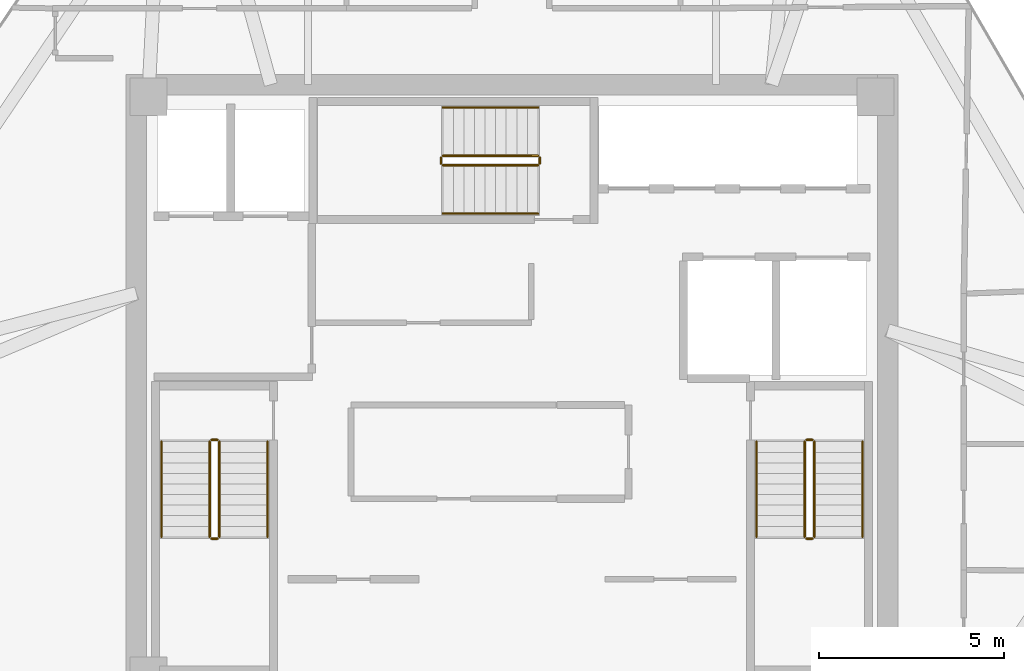
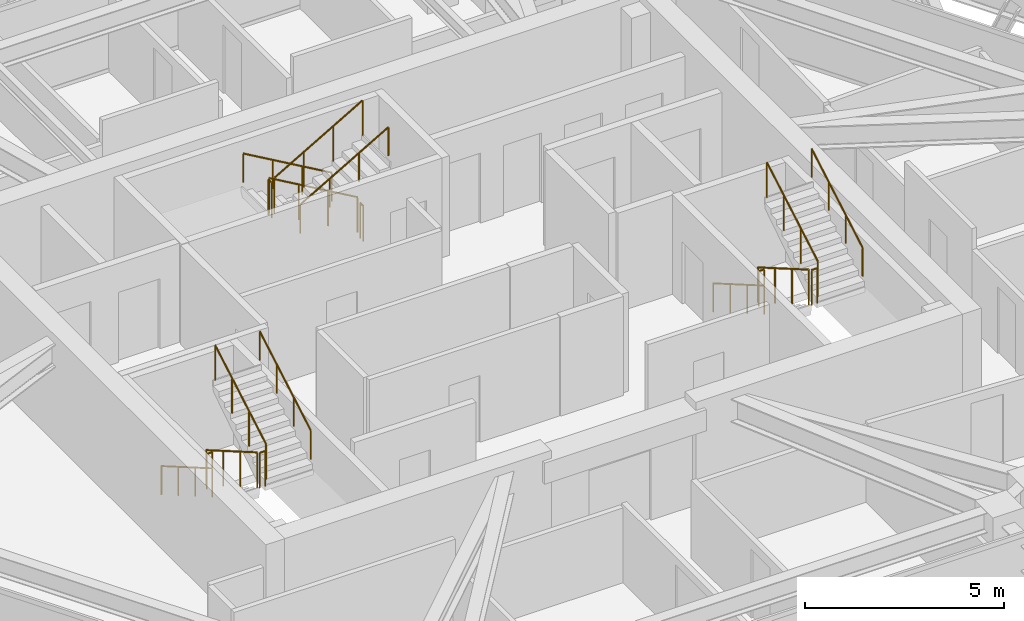
# One storey, part 11 of 11: 18 railings.
"""IFC4 building model written with IfcOpenShell, lengths in metres."""

from ifc_helpers import new_model, si_unit, direction, frame, origin, origin_2d, place, context, subcontext, project, spatial, circle, extrude, material, type_object, element, save


model = new_model("IFC4")

# Units and contexts
model_context = context("Model", 3, precision=1e-05, world=origin(), true_north=direction((0.0, 1.0)))
body_context = subcontext(model_context, "Body", "Model", "MODEL_VIEW")
ifc_project = project(units=[si_unit("LENGTHUNIT", "METRE"), si_unit("AREAUNIT", "SQUARE_METRE"), si_unit("VOLUMEUNIT", "CUBIC_METRE"), si_unit("PLANEANGLEUNIT", "RADIAN"), si_unit("MASSUNIT", "GRAM", prefix="KILO")], contexts=[model_context])

# Site, building, storey
site_placement = place(None, origin())
site = spatial("IfcSite", under=ifc_project, at=site_placement, CompositionType="ELEMENT")
building_placement = place(site_placement, origin())
building = spatial("IfcBuilding", under=site, at=building_placement, Name="Durnholm Broadcast Tower", CompositionType="ELEMENT")
storey_placement = place(building_placement, frame((0.0, 0.0, 238.10009765625)))
storey = spatial("IfcBuildingStorey", under=building, at=storey_placement, Name="L66", CompositionType="ELEMENT", Elevation=238.10009765625)

# Railings
ifc_material_1 = material(Name="Painted Tubular Steel Stair Guardrail", Category="steel")
railing_type_1 = type_object("IfcRailingType", Name="RAIL-ST-GRD", PredefinedType="GUARDRAIL", material=ifc_material_1)
railing_1_placement = place(storey_placement, frame((-8.14990234375, -1.5, 0.164794921875)))
element("IfcRailing", 1, at=railing_1_placement, inside=storey, type_object=railing_type_1, Name="L66 ST-1 stair guard 1", PredefinedType="GUARDRAIL", context=body_context, shape_type="SweptSolid", body=[
    extrude(circle(Radius=0.02392578125, at=origin_2d()), frame((0.0, 0.0, 1.076171875), z_axis=(0.0, -0.865405606168, 0.501071987656), x_axis=(1.0, 0.0, 0.0)), (0.0, 0.0, 1.0), 2.9638671875),
    extrude(circle(Radius=0.02099609375, at=origin_2d()), origin(), (0.0, 0.0, 1.0), 1.052001953125),
    extrude(circle(Radius=0.02099609375, at=origin_2d()), frame((0.0, -0.85498046875, 0.4951171875)), (0.0, 0.0, 1.0), 1.052001953125),
    extrude(circle(Radius=0.02099609375, at=origin_2d()), frame((0.0, -1.7099609375, 0.989990234375)), (0.0, 0.0, 1.0), 1.052001953125),
    extrude(circle(Radius=0.02099609375, at=origin_2d()), frame((0.0, -2.56494140625, 1.485107421875)), (0.0, 0.0, 1.0), 1.052001953125),
])
railing_2_placement = place(storey_placement, frame((-8.10009765625, -4.114990234375, 1.64990234375)))
element("IfcRailing", 2, at=railing_2_placement, inside=storey, type_object=railing_type_1, Name="L66 ST-1 stair guard 2", PredefinedType="GUARDRAIL", context=body_context, shape_type="SweptSolid", body=[
    extrude(circle(Radius=0.02392578125, at=origin_2d()), frame((0.0, 0.0, 1.076171875), z_axis=(1.0, 0.0, 0.0), x_axis=(0.0, 1.0, 0.0)), (0.0, 0.0, 1.0), 0.16015625),
    extrude(circle(Radius=0.02099609375, at=origin_2d()), origin(), (0.0, 0.0, 1.0), 1.052001953125),
    extrude(circle(Radius=0.02099609375, at=origin_2d()), frame((0.16015625, 0.0, 0.0)), (0.0, 0.0, 1.0), 1.052001953125),
])
railing_3_placement = place(storey_placement, frame((-7.889892578125, -4.06494140625, 1.81494140625)))
element("IfcRailing", 3, at=railing_3_placement, inside=storey, type_object=railing_type_1, Name="L66 ST-1 stair guard 3", PredefinedType="GUARDRAIL", context=body_context, shape_type="SweptSolid", body=[
    extrude(circle(Radius=0.02392578125, at=origin_2d()), frame((0.0, 0.0, 1.076171875), z_axis=(0.0, 0.865441324677, 0.50101029285), x_axis=(-1.0, 0.0, 0.0)), (0.0, 0.0, 1.0), 2.963623046875),
    extrude(circle(Radius=0.02099609375, at=origin_2d()), origin(), (0.0, 0.0, 1.0), 1.052001953125),
    extrude(circle(Radius=0.02099609375, at=origin_2d()), frame((0.0, 0.85498046875, 0.494873046875)), (0.0, 0.0, 1.0), 1.052001953125),
    extrude(circle(Radius=0.02099609375, at=origin_2d()), frame((0.0, 1.7099609375, 0.989990234375)), (0.0, 0.0, 1.0), 1.052001953125),
    extrude(circle(Radius=0.02099609375, at=origin_2d()), frame((0.0, 2.56494140625, 1.48486328125)), (0.0, 0.0, 1.0), 1.052001953125),
])
railing_4_placement = place(storey_placement, frame((-8.10009765625, -1.449951171875, 0.0)))
element("IfcRailing", 4, at=railing_4_placement, inside=storey, type_object=railing_type_1, Name="L66 ST-1 stair guard 4", PredefinedType="GUARDRAIL", context=body_context, shape_type="SweptSolid", body=[
    extrude(circle(Radius=0.02392578125, at=origin_2d()), frame((0.0, 0.0, 1.076171875), z_axis=(1.0, 0.0, 0.0), x_axis=(0.0, 1.0, 0.0)), (0.0, 0.0, 1.0), 0.16015625),
    extrude(circle(Radius=0.02099609375, at=origin_2d()), origin(), (0.0, 0.0, 1.0), 1.052001953125),
    extrude(circle(Radius=0.02099609375, at=origin_2d()), frame((0.16015625, 0.0, 0.0)), (0.0, 0.0, 1.0), 1.052001953125),
])
railing_5_placement = place(storey_placement, frame((7.889892578125, -1.5, 0.164794921875)))
element("IfcRailing", 5, at=railing_5_placement, inside=storey, type_object=railing_type_1, Name="L66 ST-2 stair guard 1", PredefinedType="GUARDRAIL", context=body_context, shape_type="SweptSolid", body=[
    extrude(circle(Radius=0.02392578125, at=origin_2d()), frame((0.0, 0.0, 1.076171875), z_axis=(0.0, -0.865405606168, 0.501071987656), x_axis=(1.0, 0.0, 0.0)), (0.0, 0.0, 1.0), 2.9638671875),
    extrude(circle(Radius=0.02099609375, at=origin_2d()), origin(), (0.0, 0.0, 1.0), 1.052001953125),
    extrude(circle(Radius=0.02099609375, at=origin_2d()), frame((0.0, -0.85498046875, 0.4951171875)), (0.0, 0.0, 1.0), 1.052001953125),
    extrude(circle(Radius=0.02099609375, at=origin_2d()), frame((0.0, -1.7099609375, 0.989990234375)), (0.0, 0.0, 1.0), 1.052001953125),
    extrude(circle(Radius=0.02099609375, at=origin_2d()), frame((0.0, -2.56494140625, 1.485107421875)), (0.0, 0.0, 1.0), 1.052001953125),
])
railing_6_placement = place(storey_placement, frame((7.93994140625, -4.114990234375, 1.64990234375)))
element("IfcRailing", 6, at=railing_6_placement, inside=storey, type_object=railing_type_1, Name="L66 ST-2 stair guard 2", PredefinedType="GUARDRAIL", context=body_context, shape_type="SweptSolid", body=[
    extrude(circle(Radius=0.02392578125, at=origin_2d()), frame((0.0, 0.0, 1.076171875), z_axis=(1.0, 0.0, 0.0), x_axis=(0.0, 1.0, 0.0)), (0.0, 0.0, 1.0), 0.16015625),
    extrude(circle(Radius=0.02099609375, at=origin_2d()), origin(), (0.0, 0.0, 1.0), 1.052001953125),
    extrude(circle(Radius=0.02099609375, at=origin_2d()), frame((0.16015625, 0.0, 0.0)), (0.0, 0.0, 1.0), 1.052001953125),
])
railing_7_placement = place(storey_placement, frame((8.14990234375, -4.06494140625, 1.81494140625)))
element("IfcRailing", 7, at=railing_7_placement, inside=storey, type_object=railing_type_1, Name="L66 ST-2 stair guard 3", PredefinedType="GUARDRAIL", context=body_context, shape_type="SweptSolid", body=[
    extrude(circle(Radius=0.02392578125, at=origin_2d()), frame((0.0, 0.0, 1.076171875), z_axis=(0.0, 0.865441324677, 0.50101029285), x_axis=(-1.0, 0.0, 0.0)), (0.0, 0.0, 1.0), 2.963623046875),
    extrude(circle(Radius=0.02099609375, at=origin_2d()), origin(), (0.0, 0.0, 1.0), 1.052001953125),
    extrude(circle(Radius=0.02099609375, at=origin_2d()), frame((0.0, 0.85498046875, 0.494873046875)), (0.0, 0.0, 1.0), 1.052001953125),
    extrude(circle(Radius=0.02099609375, at=origin_2d()), frame((0.0, 1.7099609375, 0.989990234375)), (0.0, 0.0, 1.0), 1.052001953125),
    extrude(circle(Radius=0.02099609375, at=origin_2d()), frame((0.0, 2.56494140625, 1.48486328125)), (0.0, 0.0, 1.0), 1.052001953125),
])
railing_8_placement = place(storey_placement, frame((7.93994140625, -1.449951171875, 0.0)))
element("IfcRailing", 8, at=railing_8_placement, inside=storey, type_object=railing_type_1, Name="L66 ST-2 stair guard 4", PredefinedType="GUARDRAIL", context=body_context, shape_type="SweptSolid", body=[
    extrude(circle(Radius=0.02392578125, at=origin_2d()), frame((0.0, 0.0, 1.076171875), z_axis=(1.0, 0.0, 0.0), x_axis=(0.0, 1.0, 0.0)), (0.0, 0.0, 1.0), 0.16015625),
    extrude(circle(Radius=0.02099609375, at=origin_2d()), origin(), (0.0, 0.0, 1.0), 1.052001953125),
    extrude(circle(Radius=0.02099609375, at=origin_2d()), frame((0.16015625, 0.0, 0.0)), (0.0, 0.0, 1.0), 1.052001953125),
])
railing_9_placement = place(storey_placement, frame((0.699951171875, 6.2099609375, 0.164794921875)))
element("IfcRailing", 9, at=railing_9_placement, inside=storey, type_object=railing_type_1, Name="L66 ST-3 stair guard 1", PredefinedType="GUARDRAIL", context=body_context, shape_type="SweptSolid", body=[
    extrude(circle(Radius=0.02392578125, at=origin_2d()), frame((0.0, 0.0, 1.076171875), z_axis=(-0.865405606168, 0.0, 0.501071987656), x_axis=(0.0, -1.0, 0.0)), (0.0, 0.0, 1.0), 2.9638671875),
    extrude(circle(Radius=0.02099609375, at=origin_2d()), origin(), (0.0, 0.0, 1.0), 1.052001953125),
    extrude(circle(Radius=0.02099609375, at=origin_2d()), frame((-0.85498046875, 0.0, 0.4951171875)), (0.0, 0.0, 1.0), 1.052001953125),
    extrude(circle(Radius=0.02099609375, at=origin_2d()), frame((-1.7099609375, 0.0, 0.989990234375)), (0.0, 0.0, 1.0), 1.052001953125),
    extrude(circle(Radius=0.02099609375, at=origin_2d()), frame((-2.56494140625, 0.0, 1.485107421875)), (0.0, 0.0, 1.0), 1.052001953125),
])
railing_10_placement = place(storey_placement, frame((-1.9150390625, 6.159912109375, 1.64990234375)))
element("IfcRailing", 10, at=railing_10_placement, inside=storey, type_object=railing_type_1, Name="L66 ST-3 stair guard 2", PredefinedType="GUARDRAIL", context=body_context, shape_type="SweptSolid", body=[
    extrude(circle(Radius=0.02392578125, at=origin_2d()), frame((0.0, 0.0, 1.076171875), z_axis=(0.0, -1.0, 0.0), x_axis=(1.0, 0.0, 0.0)), (0.0, 0.0, 1.0), 0.159912109375),
    extrude(circle(Radius=0.02099609375, at=origin_2d()), origin(), (0.0, 0.0, 1.0), 1.052001953125),
    extrude(circle(Radius=0.02099609375, at=origin_2d()), frame((0.0, -0.159912109375, 0.0)), (0.0, 0.0, 1.0), 1.052001953125),
])
railing_11_placement = place(storey_placement, frame((-1.864990234375, 5.949951171875, 1.81494140625)))
element("IfcRailing", 11, at=railing_11_placement, inside=storey, type_object=railing_type_1, Name="L66 ST-3 stair guard 3", PredefinedType="GUARDRAIL", context=body_context, shape_type="SweptSolid", body=[
    extrude(circle(Radius=0.02392578125, at=origin_2d()), frame((0.0, 0.0, 1.076171875), z_axis=(0.865441324677, 0.0, 0.50101029285), x_axis=(0.0, 1.0, 0.0)), (0.0, 0.0, 1.0), 2.963623046875),
    extrude(circle(Radius=0.02099609375, at=origin_2d()), origin(), (0.0, 0.0, 1.0), 1.052001953125),
    extrude(circle(Radius=0.02099609375, at=origin_2d()), frame((0.85498046875, 0.0, 0.494873046875)), (0.0, 0.0, 1.0), 1.052001953125),
    extrude(circle(Radius=0.02099609375, at=origin_2d()), frame((1.7099609375, 0.0, 0.989990234375)), (0.0, 0.0, 1.0), 1.052001953125),
    extrude(circle(Radius=0.02099609375, at=origin_2d()), frame((2.56494140625, 0.0, 1.48486328125)), (0.0, 0.0, 1.0), 1.052001953125),
])
railing_12_placement = place(storey_placement, frame((0.75, 6.159912109375, 0.0)))
element("IfcRailing", 12, at=railing_12_placement, inside=storey, type_object=railing_type_1, Name="L66 ST-3 stair guard 4", PredefinedType="GUARDRAIL", context=body_context, shape_type="SweptSolid", body=[
    extrude(circle(Radius=0.02392578125, at=origin_2d()), frame((0.0, 0.0, 1.076171875), z_axis=(0.0, -1.0, 0.0), x_axis=(1.0, 0.0, 0.0)), (0.0, 0.0, 1.0), 0.159912109375),
    extrude(circle(Radius=0.02099609375, at=origin_2d()), origin(), (0.0, 0.0, 1.0), 1.052001953125),
    extrude(circle(Radius=0.02099609375, at=origin_2d()), frame((0.0, -0.159912109375, 0.0)), (0.0, 0.0, 1.0), 1.052001953125),
])
ifc_material_2 = material(Name="Brushed Stainless Steel Handrail", Category="steel")
railing_type_2 = type_object("IfcRailingType", Name="RAIL-ST-HND", PredefinedType="HANDRAIL", material=ifc_material_2)
railing_13_placement = place(storey_placement, frame((-9.449951171875, -1.5, 0.329833984375)))
element("IfcRailing", 13, at=railing_13_placement, inside=storey, type_object=railing_type_2, Name="L66 ST-1 stair handrail 1", PredefinedType="HANDRAIL", context=body_context, shape_type="SweptSolid", body=[
    extrude(circle(Radius=0.02392578125, at=origin_2d()), frame((0.0, 0.0, 0.8759765625), z_axis=(0.0, -0.865405606168, 0.501071987656), x_axis=(1.0, 0.0, 0.0)), (0.0, 0.0, 1.0), 2.9638671875),
    extrude(circle(Radius=0.02099609375, at=origin_2d()), origin(), (0.0, 0.0, 1.0), 0.851806640625),
    extrude(circle(Radius=0.02099609375, at=origin_2d()), frame((0.0, -0.85498046875, 0.4951171875)), (0.0, 0.0, 1.0), 0.851806640625),
    extrude(circle(Radius=0.02099609375, at=origin_2d()), frame((0.0, -1.7099609375, 0.989990234375)), (0.0, 0.0, 1.0), 0.851806640625),
    extrude(circle(Radius=0.02099609375, at=origin_2d()), frame((0.0, -2.56494140625, 1.485107421875)), (0.0, 0.0, 1.0), 0.851806640625),
])
railing_14_placement = place(storey_placement, frame((-6.590087890625, -4.06494140625, 1.97998046875)))
element("IfcRailing", 14, at=railing_14_placement, inside=storey, type_object=railing_type_2, Name="L66 ST-1 stair handrail 2", PredefinedType="HANDRAIL", context=body_context, shape_type="SweptSolid", body=[
    extrude(circle(Radius=0.02392578125, at=origin_2d()), frame((0.0, 0.0, 0.8759765625), z_axis=(0.0, 0.865441324677, 0.50101029285), x_axis=(-1.0, 0.0, 0.0)), (0.0, 0.0, 1.0), 2.963623046875),
    extrude(circle(Radius=0.02099609375, at=origin_2d()), origin(), (0.0, 0.0, 1.0), 0.851806640625),
    extrude(circle(Radius=0.02099609375, at=origin_2d()), frame((0.0, 0.85498046875, 0.494873046875)), (0.0, 0.0, 1.0), 0.851806640625),
    extrude(circle(Radius=0.02099609375, at=origin_2d()), frame((0.0, 1.7099609375, 0.989990234375)), (0.0, 0.0, 1.0), 0.851806640625),
    extrude(circle(Radius=0.02099609375, at=origin_2d()), frame((0.0, 2.56494140625, 1.48486328125)), (0.0, 0.0, 1.0), 0.851806640625),
])
railing_15_placement = place(storey_placement, frame((6.590087890625, -1.5, 0.329833984375)))
element("IfcRailing", 15, at=railing_15_placement, inside=storey, type_object=railing_type_2, Name="L66 ST-2 stair handrail 1", PredefinedType="HANDRAIL", context=body_context, shape_type="SweptSolid", body=[
    extrude(circle(Radius=0.02392578125, at=origin_2d()), frame((0.0, 0.0, 0.8759765625), z_axis=(0.0, -0.865405606168, 0.501071987656), x_axis=(1.0, 0.0, 0.0)), (0.0, 0.0, 1.0), 2.9638671875),
    extrude(circle(Radius=0.02099609375, at=origin_2d()), origin(), (0.0, 0.0, 1.0), 0.851806640625),
    extrude(circle(Radius=0.02099609375, at=origin_2d()), frame((0.0, -0.85498046875, 0.4951171875)), (0.0, 0.0, 1.0), 0.851806640625),
    extrude(circle(Radius=0.02099609375, at=origin_2d()), frame((0.0, -1.7099609375, 0.989990234375)), (0.0, 0.0, 1.0), 0.851806640625),
    extrude(circle(Radius=0.02099609375, at=origin_2d()), frame((0.0, -2.56494140625, 1.485107421875)), (0.0, 0.0, 1.0), 0.851806640625),
])
railing_16_placement = place(storey_placement, frame((9.449951171875, -4.06494140625, 1.97998046875)))
element("IfcRailing", 16, at=railing_16_placement, inside=storey, type_object=railing_type_2, Name="L66 ST-2 stair handrail 2", PredefinedType="HANDRAIL", context=body_context, shape_type="SweptSolid", body=[
    extrude(circle(Radius=0.02392578125, at=origin_2d()), frame((0.0, 0.0, 0.8759765625), z_axis=(0.0, 0.865441324677, 0.50101029285), x_axis=(-1.0, 0.0, 0.0)), (0.0, 0.0, 1.0), 2.963623046875),
    extrude(circle(Radius=0.02099609375, at=origin_2d()), origin(), (0.0, 0.0, 1.0), 0.851806640625),
    extrude(circle(Radius=0.02099609375, at=origin_2d()), frame((0.0, 0.85498046875, 0.494873046875)), (0.0, 0.0, 1.0), 0.851806640625),
    extrude(circle(Radius=0.02099609375, at=origin_2d()), frame((0.0, 1.7099609375, 0.989990234375)), (0.0, 0.0, 1.0), 0.851806640625),
    extrude(circle(Radius=0.02099609375, at=origin_2d()), frame((0.0, 2.56494140625, 1.48486328125)), (0.0, 0.0, 1.0), 0.851806640625),
])
railing_17_placement = place(storey_placement, frame((0.699951171875, 7.510009765625, 0.329833984375)))
element("IfcRailing", 17, at=railing_17_placement, inside=storey, type_object=railing_type_2, Name="L66 ST-3 stair handrail 1", PredefinedType="HANDRAIL", context=body_context, shape_type="SweptSolid", body=[
    extrude(circle(Radius=0.02392578125, at=origin_2d()), frame((0.0, 0.0, 0.8759765625), z_axis=(-0.865405606168, 0.0, 0.501071987656), x_axis=(0.0, -1.0, 0.0)), (0.0, 0.0, 1.0), 2.9638671875),
    extrude(circle(Radius=0.02099609375, at=origin_2d()), origin(), (0.0, 0.0, 1.0), 0.851806640625),
    extrude(circle(Radius=0.02099609375, at=origin_2d()), frame((-0.85498046875, 0.0, 0.4951171875)), (0.0, 0.0, 1.0), 0.851806640625),
    extrude(circle(Radius=0.02099609375, at=origin_2d()), frame((-1.7099609375, 0.0, 0.989990234375)), (0.0, 0.0, 1.0), 0.851806640625),
    extrude(circle(Radius=0.02099609375, at=origin_2d()), frame((-2.56494140625, 0.0, 1.485107421875)), (0.0, 0.0, 1.0), 0.851806640625),
])
railing_18_placement = place(storey_placement, frame((-1.864990234375, 4.64990234375, 1.97998046875)))
element("IfcRailing", 18, at=railing_18_placement, inside=storey, type_object=railing_type_2, Name="L66 ST-3 stair handrail 2", PredefinedType="HANDRAIL", context=body_context, shape_type="SweptSolid", body=[
    extrude(circle(Radius=0.02392578125, at=origin_2d()), frame((0.0, 0.0, 0.8759765625), z_axis=(0.865441324677, 0.0, 0.50101029285), x_axis=(0.0, 1.0, 0.0)), (0.0, 0.0, 1.0), 2.963623046875),
    extrude(circle(Radius=0.02099609375, at=origin_2d()), origin(), (0.0, 0.0, 1.0), 0.851806640625),
    extrude(circle(Radius=0.02099609375, at=origin_2d()), frame((0.85498046875, 0.0, 0.494873046875)), (0.0, 0.0, 1.0), 0.851806640625),
    extrude(circle(Radius=0.02099609375, at=origin_2d()), frame((1.7099609375, 0.0, 0.989990234375)), (0.0, 0.0, 1.0), 0.851806640625),
    extrude(circle(Radius=0.02099609375, at=origin_2d()), frame((2.56494140625, 0.0, 1.48486328125)), (0.0, 0.0, 1.0), 0.851806640625),
])

save(model, "model.ifc")
